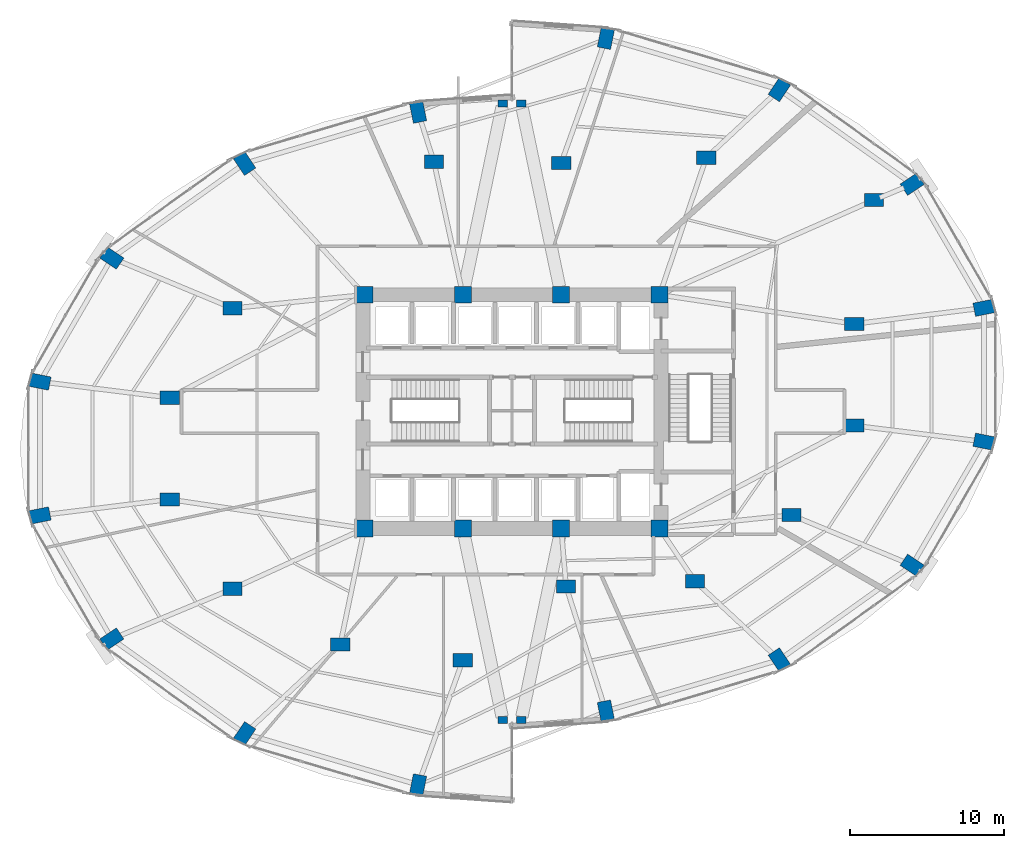
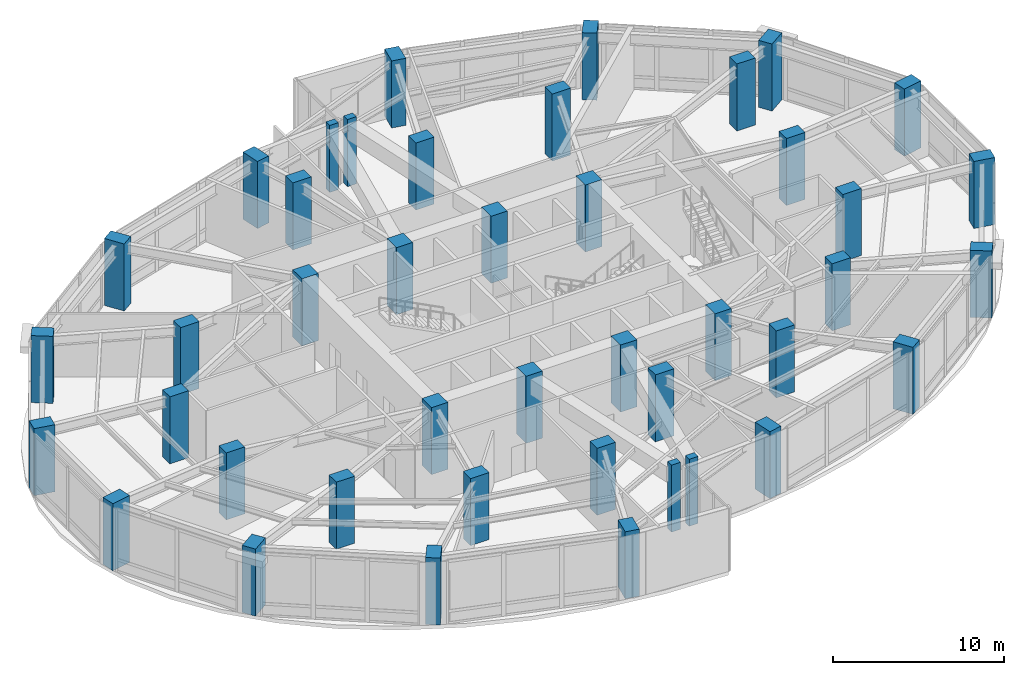
# One storey, part 1 of 24: 43 columns.
"""IFC4 building model written with IfcOpenShell, lengths in metres."""

import ifcopenshell
import ifcopenshell.guid

model = None  # the IFC model being written
_history = None  # IfcOwnerHistory: only IFC2X3 demands one
_inside = {}  # id of a spatial element -> (the spatial element, [elements in it])
_under = {}  # id of a project, library or spatial element -> (it, [spatial elements below it])
_declared = {}  # id of a project -> (the project, [libraries it declares])
_typed = {}  # id of a type object -> (the type object, [elements of that type])
_made_of = {}  # id of a material, layer set ... -> (it, [elements and type objects made of it])


def new_model(schema):
    """Start an empty IFC model of exactly this schema.

    Asked for "IFC4X3", IfcOpenShell would pick the latest addendum, in which some entities
    have other attributes; the version numbers below select the first issue.
    IFC2X3 requires an IfcOwnerHistory on every rooted entity: one is made here for all.
    """
    global model, _history
    if schema == "IFC4X3":
        model = ifcopenshell.file(schema_version=(4, 3, 0, 0))
    else:
        model = ifcopenshell.file(schema=schema)
    _inside.clear()
    _under.clear()
    _declared.clear()
    _typed.clear()
    _made_of.clear()
    _history = None
    if model.schema == "IFC2X3":
        org = make("IfcOrganization", Name="unknown")
        user = make(
            "IfcPersonAndOrganization",
            ThePerson=make("IfcPerson", FamilyName="unknown"),
            TheOrganization=org,
        )
        app = make(
            "IfcApplication",
            ApplicationDeveloper=org,
            Version="unknown",
            ApplicationFullName="unknown",
            ApplicationIdentifier="unknown",
        )
        _history = make(
            "IfcOwnerHistory",
            OwningUser=user,
            OwningApplication=app,
            ChangeAction="ADDED",
            CreationDate=0,
        )
    return model


def make(cls, **values):
    """One entity of the class cls with the attributes given. An attribute that is None is left unset."""
    return model.create_entity(
        cls, **{name: value for name, value in values.items() if value is not None}
    )


def rooted(cls, **values):
    """An entity with a GlobalId (a new one), such as an element, a storey or a relation."""
    return make(cls, GlobalId=ifcopenshell.guid.new(), OwnerHistory=_history, **values)


def si_unit(unit_type, name, prefix=None):
    """IfcSIUnit, for example si_unit("LENGTHUNIT", "METRE", prefix="MILLI")."""
    return make("IfcSIUnit", UnitType=unit_type, Prefix=prefix, Name=name)


def assignment(units):
    """IfcUnitAssignment: the units of a project."""
    return None if units is None else make("IfcUnitAssignment", Units=units)


def point(xyz):
    """IfcCartesianPoint."""
    return None if xyz is None else make("IfcCartesianPoint", Coordinates=xyz)


def direction(xyz):
    """IfcDirection."""
    return None if xyz is None else make("IfcDirection", DirectionRatios=xyz)


def frame(location, z_axis=None, x_axis=None):
    """IfcAxis2Placement3D, a coordinate frame: its origin and axes. An axis left out is left unset."""
    return make(
        "IfcAxis2Placement3D",
        Location=point(location),
        Axis=direction(z_axis),
        RefDirection=direction(x_axis),
    )


def frame_2d(location, x_axis=None):
    """IfcAxis2Placement2D, a coordinate frame in the plane: its origin and x axis."""
    return make(
        "IfcAxis2Placement2D", Location=point(location), RefDirection=direction(x_axis)
    )


def origin():
    """The frame at (0, 0, 0) with its axes left unset."""
    return frame((0.0, 0.0, 0.0))


def origin_2d():
    """The frame at (0, 0) in the plane with its x axis left unset."""
    return frame_2d((0.0, 0.0))


def place(relative_to, where):
    """IfcLocalPlacement: puts the frame where relative to a parent placement (None: the world)."""
    return make(
        "IfcLocalPlacement", PlacementRelTo=relative_to, RelativePlacement=where
    )


def context(
    kind, dimensions, precision=None, world=None, true_north=None, identifier=None
):
    """IfcGeometricRepresentationContext, for example the 3D "Model" context."""
    return make(
        "IfcGeometricRepresentationContext",
        ContextIdentifier=identifier,
        ContextType=kind,
        CoordinateSpaceDimension=dimensions,
        Precision=precision,
        WorldCoordinateSystem=world,
        TrueNorth=true_north,
    )


def subcontext(parent, identifier, kind, view, scale=None):
    """IfcGeometricRepresentationSubContext, for example "Body" below "Model"."""
    return make(
        "IfcGeometricRepresentationSubContext",
        ContextIdentifier=identifier,
        ContextType=kind,
        ParentContext=parent,
        TargetScale=scale,
        TargetView=view,
    )


def project(units=None, contexts=None):
    """IfcProject with its units and contexts."""
    return rooted(
        "IfcProject",
        Name="project",
        RepresentationContexts=contexts,
        UnitsInContext=assignment(units),
    )


def spatial(cls, under=None, at=None, **own):
    """A site, building, storey or space (cls), placed at a placement, below another one or the project."""
    s = rooted(cls, ObjectPlacement=at, **own)
    if under is not None:
        _under.setdefault(under.id(), (under, []))[1].append(s)
    return s


def profile(cls, at=None, kind="AREA", **sizes):
    """A parametric profile (cls). Its sizes go by their IFC names, for example OverallWidth=200.0."""
    return make(cls, ProfileType=kind, Position=at, **sizes)


def rectangle(**sizes):
    """IfcRectangleProfileDef."""
    return profile("IfcRectangleProfileDef", **sizes)


def extrude(swept, where, along, depth):
    """IfcExtrudedAreaSolid: the profile swept, set in the frame where, extruded along a direction by depth."""
    return make(
        "IfcExtrudedAreaSolid",
        SweptArea=swept,
        Position=where,
        ExtrudedDirection=direction(along),
        Depth=depth,
    )


def shape(context_of_items, identifier, shape_type, items):
    """IfcShapeRepresentation: the items that make up one representation, for example the "Body"."""
    return make(
        "IfcShapeRepresentation",
        ContextOfItems=context_of_items,
        RepresentationIdentifier=identifier,
        RepresentationType=shape_type,
        Items=items,
    )


def material(Name=None, Category=None):
    """IfcMaterial."""
    return make("IfcMaterial", Name=Name, Category=Category)


def material_profile(
    of_material, cross_section, Name=None, Category=None, Priority=None
):
    """IfcMaterialProfile: a cross section and its material."""
    return make(
        "IfcMaterialProfile",
        Name=Name,
        Material=of_material,
        Profile=cross_section,
        Priority=Priority,
        Category=Category,
    )


def profile_set(profiles, Name=None, composite=None):
    """IfcMaterialProfileSet."""
    return make(
        "IfcMaterialProfileSet",
        Name=Name,
        MaterialProfiles=profiles,
        CompositeProfile=composite,
    )


def made_of(thing, what):
    """Note that an element or type object is made of a material, layer set ...; save() writes the relation."""
    if what is not None:
        _made_of.setdefault(what.id(), (what, []))[1].append(thing)
    return thing


def type_object(cls, material=None, **own):
    """A type object (cls), such as IfcWallType, which elements share."""
    return made_of(rooted(cls, **own), material)


def element(
    cls,
    number,
    at=None,
    inside=None,
    cuts=None,
    type_object=None,
    material=None,
    context=None,
    identifier="Body",
    shape_type=None,
    held_by="IfcProductDefinitionShape",
    body=None,
    shapes=None,
    **own,
):
    """One element of the class cls, such as IfcWall. Its Tag is "e" and its number.

    at: its placement. inside: the storey or other place that contains it. cuts: it is an
    opening in that element (IfcRelVoidsElement). A single representation is given by context,
    identifier, shape_type and body (its items); several are given by shapes. held_by: the class
    of the entity that holds the representations. save() writes the other relations.
    """
    e = rooted(cls, Tag="e%d" % number, ObjectPlacement=at, **own)
    if body is not None:
        shapes = [shape(context, identifier, shape_type, body)]
    if shapes is not None:
        e.Representation = make(held_by, Representations=shapes)
    if inside is not None:
        _inside.setdefault(inside.id(), (inside, []))[1].append(e)
    if cuts is not None:
        rooted(
            "IfcRelVoidsElement", RelatingBuildingElement=cuts, RelatedOpeningElement=e
        )
    if type_object is not None:
        _typed.setdefault(type_object.id(), (type_object, []))[1].append(e)
    return made_of(e, material)


def aggregate(whole, parts):
    """IfcRelAggregates: a whole, such as a stair, and the parts it consists of."""
    return rooted("IfcRelAggregates", RelatingObject=whole, RelatedObjects=parts)


def save(model, path):
    """Write the relations noted so far, then the file.

    IfcRelAggregates (storeys below a building ...), IfcRelContainedInSpatialStructure (elements
    in a storey), IfcRelDefinesByType, IfcRelAssociatesMaterial and IfcRelDeclares: one each for
    every whole, place, type object, material and project.
    """
    for whole, parts in _under.values():
        aggregate(whole, parts)
    for where, things in _inside.values():
        rooted(
            "IfcRelContainedInSpatialStructure",
            RelatedElements=things,
            RelatingStructure=where,
        )
    for kind, things in _typed.values():
        rooted("IfcRelDefinesByType", RelatedObjects=things, RelatingType=kind)
    for what, things in _made_of.values():
        rooted("IfcRelAssociatesMaterial", RelatedObjects=things, RelatingMaterial=what)
    for by, libraries in _declared.values():
        rooted("IfcRelDeclares", RelatingContext=by, RelatedDefinitions=libraries)
    model.write(path)


model = new_model("IFC4")

# Units and contexts
model_context = context("Model", 3, precision=1e-05, world=origin(), true_north=direction((0.0, 1.0)))
body_context = subcontext(model_context, "Body", "Model", "MODEL_VIEW")
ifc_project = project(units=[si_unit("LENGTHUNIT", "METRE"), si_unit("AREAUNIT", "SQUARE_METRE"), si_unit("VOLUMEUNIT", "CUBIC_METRE"), si_unit("PLANEANGLEUNIT", "RADIAN"), si_unit("MASSUNIT", "GRAM", prefix="KILO")], contexts=[model_context])

# Site, building, storey
site_placement = place(None, origin())
site = spatial("IfcSite", under=ifc_project, at=site_placement, CompositionType="ELEMENT")
building_placement = place(site_placement, origin())
building = spatial("IfcBuilding", under=site, at=building_placement, Name="Lazwardi Medical Tower", CompositionType="ELEMENT")
storey_placement = place(building_placement, frame((0.0, 0.0, 10.800048828125)))
storey = spatial("IfcBuildingStorey", under=building, at=storey_placement, Name="L02", CompositionType="ELEMENT", Elevation=10.800048828125)

# Columns
ifc_material_1 = material(Name="Concrete C80/95", Category="concrete")
ifc_material_profile_1 = material_profile(ifc_material_1, rectangle(XDim=1.10009765625, YDim=1.10009765625, at=origin_2d()), Name="RC 1100x1100")
ifc_profile_set_1 = profile_set([ifc_material_profile_1], Name="Concrete C80/95")
column_type_1 = type_object("IfcColumnType", Name="COL-CC-L", PredefinedType="COLUMN", material=ifc_profile_set_1)
for number, where, z_axis, x_axis, name in (
    (1, (26.39990234375, 20.39990234375, 0.0), (0.0, 0.0, 1.0), (1.0, 0.0, 0.0), "Core column CC-01 CC1 L02"),
    (2, (32.800048828125, 20.39990234375, 0.0), (0.0, 0.0, 1.0), (1.0, 0.0, 0.0), "Core column CC-01 CC2 L02"),
    (3, (39.199951171875, 20.39990234375, 0.0), (0.0, 0.0, 1.0), (1.0, 0.0, 0.0), "Core column CC-01 CC3 L02"),
    (4, (45.60009765625, 20.39990234375, 0.0), (0.0, 0.0, 1.0), (1.0, 0.0, 0.0), "Core column CC-01 CC4 L02"),
    (5, (45.60009765625, 35.60009765625, 0.0), (0.0, 0.0, 1.0), (1.0, 0.0, 0.0), "Core column CC-01 CC5 L02"),
    (6, (39.199951171875, 35.60009765625, 0.0), (0.0, 0.0, 1.0), (1.0, 0.0, 0.0), "Core column CC-01 CC6 L02"),
    (7, (32.800048828125, 35.60009765625, 0.0), (0.0, 0.0, 1.0), (1.0, 0.0, 0.0), "Core column CC-01 CC7 L02"),
    (8, (26.39990234375, 35.60009765625, 0.0), (0.0, 0.0, 1.0), (1.0, 0.0, 0.0), "Core column CC-01 CC8 L02"),
):
    element("IfcColumn", number, at=place(storey_placement, frame(where, z_axis=z_axis, x_axis=x_axis)), inside=storey, type_object=column_type_1, Name=name, PredefinedType="COLUMN", context=body_context, shape_type="SweptSolid", body=[
        extrude(rectangle(XDim=1.10009765625, YDim=1.10009765625, at=origin_2d()), origin(), (0.0, 0.0, 1.0), 4.800048828125),
    ])
ifc_material_profile_2 = material_profile(ifc_material_1, rectangle(XDim=1.300048828125, YDim=0.8798828125, at=origin_2d()), Name="CFT-RECT 1300x880")
ifc_profile_set_2 = profile_set([ifc_material_profile_2], Name="Concrete C80/95")
column_type_2 = type_object("IfcColumnType", Name="COL-MC-P1", PredefinedType="COLUMN", material=ifc_profile_set_2)
for number, where, z_axis, x_axis, name in (
    (9, (42.106201171875, 8.528564453125, 0.0), (0.0, 0.0, 1.0), (0.195090322016, -0.980785280403, 0.0), "Mega column MC-02 M01 L02"),
    (10, (53.389404296875, 11.858154296875, 0.0), (0.0, 0.0, 1.0), (0.55557023302, -0.831469612303, 0.0), "Mega column MC-02 M02 L02"),
    (11, (62.02490234375, 18.0107421875, 0.0), (0.0, 0.0, 1.0), (0.831469612303, -0.55557023302, 0.0), "Mega column MC-02 M03 L02"),
    (12, (66.698486328125, 26.049560546875, 0.0), (0.0, 0.0, 1.0), (0.980785280403, -0.195090322016, 0.0), "Mega column MC-02 M04 L02"),
    (13, (66.698486328125, 34.75048828125, 0.0), (0.0, 0.0, 1.0), (0.980785280403, 0.195090322016, 0.0), "Mega column MC-02 M05 L02"),
    (14, (62.02490234375, 42.789306640625, 0.0), (0.0, 0.0, 1.0), (0.831469612303, 0.55557023302, 0.0), "Mega column MC-02 M06 L02"),
    (15, (53.389404296875, 48.94189453125, 0.0), (0.0, 0.0, 1.0), (0.55557023302, 0.831469612303, 0.0), "Mega column MC-02 M07 L02"),
    (16, (42.106201171875, 52.271484375, 0.0), (0.0, 0.0, 1.0), (0.195090322016, 0.980785280403, 0.0), "Mega column MC-02 M08 L02"),
    (17, (29.893798828125, 47.471435546875, 0.0), (0.0, 0.0, 1.0), (-0.195090322016, 0.980785280403, 0.0), "Mega column MC-02 M09 L02"),
    (18, (18.610595703125, 44.141845703125, 0.0), (0.0, 0.0, 1.0), (-0.55557023302, 0.831469612303, 0.0), "Mega column MC-02 M10 L02"),
    (19, (9.97509765625, 37.9892578125, 0.0), (0.0, 0.0, 1.0), (-0.831469612303, 0.55557023302, 0.0), "Mega column MC-02 M11 L02"),
    (20, (5.301513671875, 29.950439453125, 0.0), (0.0, 0.0, 1.0), (-0.980785280403, 0.195090322016, 0.0), "Mega column MC-02 M12 L02"),
    (21, (5.301513671875, 21.24951171875, 0.0), (0.0, 0.0, 1.0), (-0.980785280403, -0.195090322016, 0.0), "Mega column MC-02 M13 L02"),
    (22, (9.97509765625, 13.210693359375, 0.0), (0.0, 0.0, 1.0), (-0.831469612303, -0.55557023302, 0.0), "Mega column MC-02 M14 L02"),
    (23, (18.610595703125, 7.05810546875, 0.0), (0.0, 0.0, 1.0), (-0.55557023302, -0.831469612303, 0.0), "Mega column MC-02 M15 L02"),
    (24, (29.893798828125, 3.728515625, 0.0), (0.0, 0.0, 1.0), (-0.195090322016, -0.980785280403, 0.0), "Mega column MC-02 M16 L02"),
):
    element("IfcColumn", number, at=place(storey_placement, frame(where, z_axis=z_axis, x_axis=x_axis)), inside=storey, type_object=column_type_2, Name=name, PredefinedType="COLUMN", context=body_context, shape_type="SweptSolid", body=[
        extrude(rectangle(XDim=1.300048828125, YDim=0.8798828125, at=origin_2d()), origin(), (0.0, 0.0, 1.0), 4.800048828125),
    ])
ifc_material_2 = material(Name="Concrete C70/85", Category="concrete")
ifc_material_profile_3 = material_profile(ifc_material_2, rectangle(XDim=1.25, YDim=0.860107421875, at=origin_2d()), Name="CFT-RECT 1250x860")
ifc_profile_set_3 = profile_set([ifc_material_profile_3], Name="Concrete C70/85")
column_type_3 = type_object("IfcColumnType", Name="COL-MC-Z1", PredefinedType="COLUMN", material=ifc_profile_set_3)
for number, where, z_axis, x_axis, name in (
    (25, (39.52001953125, 16.625, 0.0), (0.0, 0.0, 1.0), (1.0, 0.0, 0.0), "Mega column MC-03 PM01 L02"),
    (26, (47.902099609375, 16.970947265625, 0.0), (0.0, 0.0, 1.0), (1.0, 0.0, 0.0), "Mega column MC-03 PM02 L02"),
    (27, (54.177001953125, 21.27587890625, 0.0), (0.0, 0.0, 1.0), (1.0, 0.0, 0.0), "Mega column MC-03 PM03 L02"),
    (28, (58.262939453125, 27.093994140625, 0.0), (0.0, 0.0, 1.0), (1.0, 0.0, 0.0), "Mega column MC-03 PM04 L02"),
    (29, (58.262939453125, 33.7060546875, 0.0), (0.0, 0.0, 1.0), (1.0, 0.0, 0.0), "Mega column MC-03 PM05 L02"),
    (30, (59.550048828125, 41.760009765625, 0.0), (0.0, 0.0, 1.0), (1.0, 0.0, 0.0), "Mega column MC-03 PM06 L02"),
    (31, (48.634033203125, 44.510009765625, 0.0), (0.0, 0.0, 1.0), (1.0, 0.0, 0.0), "Mega column MC-03 PM07 L02"),
    (32, (39.199951171875, 44.175048828125, 0.0), (0.0, 0.0, 1.0), (1.0, 0.0, 0.0), "Mega column MC-03 PM08 L02"),
    (33, (30.919921875, 44.25, 0.0), (0.0, 0.0, 1.0), (1.0, 0.0, 0.0), "Mega column MC-03 PM09 L02"),
    (34, (17.822998046875, 34.72412109375, 0.0), (0.0, 0.0, 1.0), (1.0, 0.0, 0.0), "Mega column MC-03 PM11 L02"),
    (35, (13.737060546875, 28.906005859375, 0.0), (0.0, 0.0, 1.0), (1.0, 0.0, 0.0), "Mega column MC-03 PM12 L02"),
    (36, (13.737060546875, 22.2939453125, 0.0), (0.0, 0.0, 1.0), (1.0, 0.0, 0.0), "Mega column MC-03 PM13 L02"),
    (37, (17.822998046875, 16.47607421875, 0.0), (0.0, 0.0, 1.0), (1.0, 0.0, 0.0), "Mega column MC-03 PM14 L02"),
    (38, (24.8291015625, 12.85302734375, 0.0), (0.0, 0.0, 1.0), (1.0, 0.0, 0.0), "Mega column MC-03 PM15 L02"),
    (39, (32.800048828125, 11.824951171875, 0.0), (0.0, 0.0, 1.0), (1.0, 0.0, 0.0), "Mega column MC-03 PM16 L02"),
):
    element("IfcColumn", number, at=place(storey_placement, frame(where, z_axis=z_axis, x_axis=x_axis)), inside=storey, type_object=column_type_3, Name=name, PredefinedType="COLUMN", context=body_context, shape_type="SweptSolid", body=[
        extrude(rectangle(XDim=1.25, YDim=0.860107421875, at=origin_2d()), origin(), (0.0, 0.0, 1.0), 4.800048828125),
    ])
ifc_material_3 = material(Name="Concrete C60/75", Category="concrete")
ifc_material_profile_4 = material_profile(ifc_material_3, rectangle(XDim=0.60009765625, YDim=0.449951171875, at=origin_2d()), Name="RC 600x450")
ifc_profile_set_4 = profile_set([ifc_material_profile_4], Name="Concrete C60/75")
column_type_4 = type_object("IfcColumnType", Name="COL-PL-IW", PredefinedType="PILASTER", material=ifc_profile_set_4)
for number, where, z_axis, x_axis, name in (
    (40, (35.39990234375, 48.050048828125, 0.0), (0.0, 0.0, 1.0), (1.0, 0.0, 0.0), "Iwan pilaster column PL-C1 PL1 L02"),
    (41, (36.60009765625, 48.050048828125, 0.0), (0.0, 0.0, 1.0), (1.0, 0.0, 0.0), "Iwan pilaster column PL-C1 PL2 L02"),
    (42, (35.39990234375, 7.949951171875, 0.0), (0.0, 0.0, 1.0), (1.0, 0.0, 0.0), "Iwan pilaster column PL-C1 PL3 L02"),
    (43, (36.60009765625, 7.949951171875, 0.0), (0.0, 0.0, 1.0), (1.0, 0.0, 0.0), "Iwan pilaster column PL-C1 PL4 L02"),
):
    element("IfcColumn", number, at=place(storey_placement, frame(where, z_axis=z_axis, x_axis=x_axis)), inside=storey, type_object=column_type_4, Name=name, PredefinedType="PILASTER", context=body_context, shape_type="SweptSolid", body=[
        extrude(rectangle(XDim=0.60009765625, YDim=0.449951171875, at=origin_2d()), origin(), (0.0, 0.0, 1.0), 4.800048828125),
    ])

save(model, "model.ifc")
